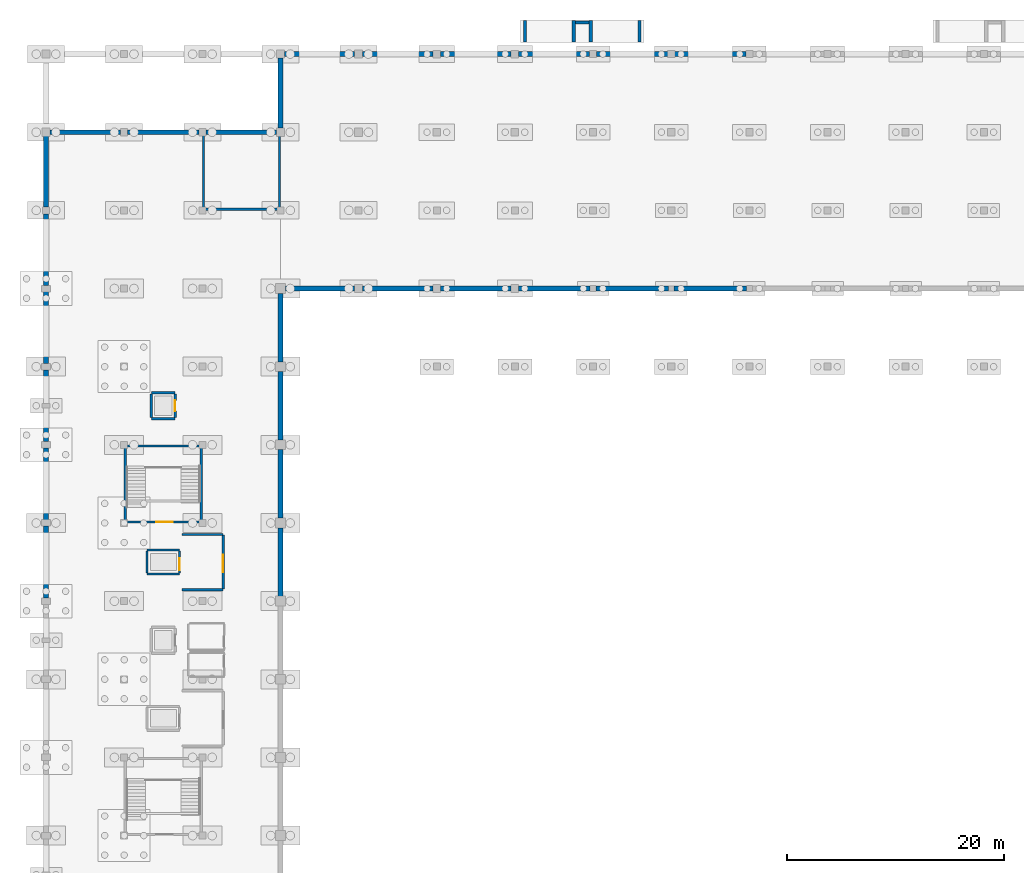
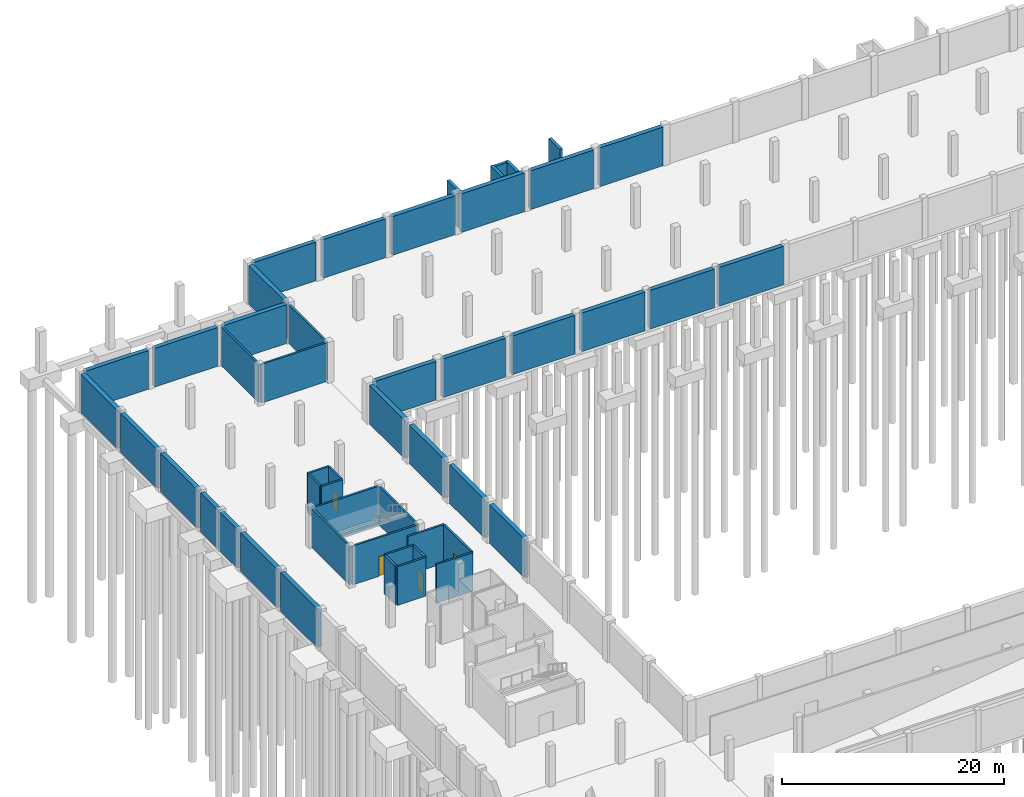
# One storey, part 12 of 18: 49 walls, 4 doors, 4 openings.
"""IFC4 building model written with IfcOpenShell, lengths in metres."""

from ifc_helpers import new_model, si_unit, direction, frame, frame_2d, origin, place, context, subcontext, project, spatial, rectangle, extrude, material, layer, layer_set, type_object, element, fill, save


model = new_model("IFC4")

# Units and contexts
model_context = context("Model", 3, precision=1e-05, world=origin(), true_north=direction((0.0, 1.0)))
body_context = subcontext(model_context, "Body", "Model", "MODEL_VIEW")
ifc_project = project(units=[si_unit("LENGTHUNIT", "METRE"), si_unit("AREAUNIT", "SQUARE_METRE"), si_unit("VOLUMEUNIT", "CUBIC_METRE"), si_unit("PLANEANGLEUNIT", "RADIAN"), si_unit("MASSUNIT", "GRAM", prefix="KILO")], contexts=[model_context])

# Site, building, storey
site_placement = place(None, origin())
site = spatial("IfcSite", under=ifc_project, at=site_placement, CompositionType="ELEMENT")
building_placement = place(site_placement, origin())
building = spatial("IfcBuilding", under=site, at=building_placement, Name="Kangsadwip Square Police Headquarters", CompositionType="ELEMENT")
storey_placement = place(building_placement, frame((0.0, 0.0, -4.5)))
storey = spatial("IfcBuildingStorey", under=building, at=storey_placement, Name="B1", CompositionType="ELEMENT", Elevation=-4.5)

# Walls
ifc_material_1 = material(Name="Concrete M40 (40 MPa)", Category="concrete")
ifc_layer_1 = layer(ifc_material_1, 0.449951171875)
ifc_layer_set_1 = layer_set([ifc_layer_1], Name="Concrete M40 (40 MPa)")
wall_type_1 = type_object("IfcWallType", Name="BasementRetainingWall450", PredefinedType="USERDEFINED", material=ifc_layer_set_1)
wall_1_placement = place(storey_placement, frame((22.044921875, 93.60009765625, 0.0), z_axis=(0.0, 0.0, 1.0), x_axis=(1.0, 0.0, 0.0)))
element("IfcWall", 1, at=wall_1_placement, inside=storey, type_object=wall_type_1, Name="Exterior Wall WE-B1-041", ObjectType="RETAININGWALL", PredefinedType="USERDEFINED", context=body_context, shape_type="SweptSolid", body=[
    extrude(rectangle(XDim=6.385009765625, YDim=0.449951171875, at=frame_2d((3.1923828125, 0.0))), origin(), (0.0, 0.0, 1.0), 4.25),
])
wall_2_placement = place(storey_placement, frame((29.169921875, 93.60009765625, 0.0), z_axis=(0.0, 0.0, 1.0), x_axis=(1.0, 0.0, 0.0)))
element("IfcWall", 2, at=wall_2_placement, inside=storey, type_object=wall_type_1, Name="Exterior Wall WE-B1-042", ObjectType="RETAININGWALL", PredefinedType="USERDEFINED", context=body_context, shape_type="SweptSolid", body=[
    extrude(rectangle(XDim=6.485107421875, YDim=0.449951171875, at=frame_2d((3.24267578125, 0.0))), origin(), (0.0, 0.0, 1.0), 4.25),
])
wall_3_placement = place(storey_placement, frame((36.344970703125, 93.60009765625, 0.0), z_axis=(0.0, 0.0, 1.0), x_axis=(1.0, 0.0, 0.0)))
element("IfcWall", 3, at=wall_3_placement, inside=storey, type_object=wall_type_1, Name="Exterior Wall WE-B1-043", ObjectType="RETAININGWALL", PredefinedType="USERDEFINED", context=body_context, shape_type="SweptSolid", body=[
    extrude(rectangle(XDim=6.510009765625, YDim=0.449951171875, at=frame_2d((3.2548828125, 0.0))), origin(), (0.0, 0.0, 1.0), 4.25),
])
wall_4_placement = place(storey_placement, frame((43.544921875, 93.60009765625, 0.0), z_axis=(0.0, 0.0, 1.0), x_axis=(1.0, 0.0, 0.0)))
element("IfcWall", 4, at=wall_4_placement, inside=storey, type_object=wall_type_1, Name="Exterior Wall WE-B1-044", ObjectType="RETAININGWALL", PredefinedType="USERDEFINED", context=body_context, shape_type="SweptSolid", body=[
    extrude(rectangle(XDim=6.5849609375, YDim=0.449951171875, at=frame_2d((3.29248046875, 0.0))), origin(), (0.0, 0.0, 1.0), 4.25),
])
for number, where, z_axis, x_axis, name in (
    (5, (50.669921875, 93.60009765625, 0.0), (0.0, 0.0, 1.0), (1.0, 0.0, 0.0), "Exterior Wall WE-B1-045"),
    (6, (57.844970703125, 93.60009765625, 0.0), (0.0, 0.0, 1.0), (1.0, 0.0, 0.0), "Exterior Wall WE-B1-046"),
):
    element("IfcWall", number, at=place(storey_placement, frame(where, z_axis=z_axis, x_axis=x_axis)), inside=storey, type_object=wall_type_1, Name=name, ObjectType="RETAININGWALL", PredefinedType="USERDEFINED", context=body_context, shape_type="SweptSolid", body=[
        extrude(rectangle(XDim=6.68505859375, YDim=0.449951171875, at=frame_2d((3.342529296875, 0.0))), origin(), (0.0, 0.0, 1.0), 4.25),
    ])
wall_5_placement = place(storey_placement, frame((0.3701171875, 108.0, 0.0), z_axis=(0.0, 0.0, 1.0), x_axis=(1.0, 0.0, 0.0)))
element("IfcWall", 7, at=wall_5_placement, inside=storey, type_object=wall_type_1, Name="Exterior Wall WE-B1-058", ObjectType="RETAININGWALL", PredefinedType="USERDEFINED", context=body_context, shape_type="SweptSolid", body=[
    extrude(rectangle(XDim=6.509765625, YDim=0.449951171875, at=frame_2d((3.2548828125, 0.0))), origin(), (0.0, 0.0, 1.0), 4.25),
])
wall_6_placement = place(storey_placement, frame((7.52001953125, 108.0, 0.0), z_axis=(0.0, 0.0, 1.0), x_axis=(1.0, 0.0, 0.0)))
element("IfcWall", 8, at=wall_6_placement, inside=storey, type_object=wall_type_1, Name="Exterior Wall WE-B1-059", ObjectType="RETAININGWALL", PredefinedType="USERDEFINED", context=body_context, shape_type="SweptSolid", body=[
    extrude(rectangle(XDim=6.56005859375, YDim=0.449951171875, at=frame_2d((3.280029296875, 0.0))), origin(), (0.0, 0.0, 1.0), 4.25),
])
wall_7_placement = place(storey_placement, frame((14.719970703125, 108.0, 0.0), z_axis=(0.0, 0.0, 1.0), x_axis=(1.0, 0.0, 0.0)))
element("IfcWall", 9, at=wall_7_placement, inside=storey, type_object=wall_type_1, Name="Exterior Wall WE-B1-060", ObjectType="RETAININGWALL", PredefinedType="USERDEFINED", context=body_context, shape_type="SweptSolid", body=[
    extrude(rectangle(XDim=6.510009765625, YDim=0.449951171875, at=frame_2d((3.2548828125, 0.0))), origin(), (0.0, 0.0, 1.0), 4.25),
])
wall_8_placement = place(storey_placement, frame((21.969970703125, 115.199951171875, 0.0), z_axis=(0.0, 0.0, 1.0), x_axis=(1.0, 0.0, 0.0)))
element("IfcWall", 10, at=wall_8_placement, inside=storey, type_object=wall_type_1, Name="Exterior Wall WE-B1-064", ObjectType="RETAININGWALL", PredefinedType="USERDEFINED", context=body_context, shape_type="SweptSolid", body=[
    extrude(rectangle(XDim=6.4599609375, YDim=0.449951171875, at=frame_2d((3.22998046875, 0.0))), origin(), (0.0, 0.0, 1.0), 4.25),
])
wall_9_placement = place(storey_placement, frame((29.169921875, 115.199951171875, 0.0), z_axis=(0.0, 0.0, 1.0), x_axis=(1.0, 0.0, 0.0)))
element("IfcWall", 11, at=wall_9_placement, inside=storey, type_object=wall_type_1, Name="Exterior Wall WE-B1-065", ObjectType="RETAININGWALL", PredefinedType="USERDEFINED", context=body_context, shape_type="SweptSolid", body=[
    extrude(rectangle(XDim=6.485107421875, YDim=0.449951171875, at=frame_2d((3.24267578125, 0.0))), origin(), (0.0, 0.0, 1.0), 4.25),
])
wall_10_placement = place(storey_placement, frame((36.344970703125, 115.199951171875, 0.0), z_axis=(0.0, 0.0, 1.0), x_axis=(1.0, 0.0, 0.0)))
element("IfcWall", 12, at=wall_10_placement, inside=storey, type_object=wall_type_1, Name="Exterior Wall WE-B1-066", ObjectType="RETAININGWALL", PredefinedType="USERDEFINED", context=body_context, shape_type="SweptSolid", body=[
    extrude(rectangle(XDim=6.510009765625, YDim=0.449951171875, at=frame_2d((3.2548828125, 0.0))), origin(), (0.0, 0.0, 1.0), 4.25),
])
wall_11_placement = place(storey_placement, frame((43.544921875, 115.199951171875, 0.0), z_axis=(0.0, 0.0, 1.0), x_axis=(1.0, 0.0, 0.0)))
element("IfcWall", 13, at=wall_11_placement, inside=storey, type_object=wall_type_1, Name="Exterior Wall WE-B1-067", ObjectType="RETAININGWALL", PredefinedType="USERDEFINED", context=body_context, shape_type="SweptSolid", body=[
    extrude(rectangle(XDim=6.53515625, YDim=0.449951171875, at=frame_2d((3.267578125, 0.0))), origin(), (0.0, 0.0, 1.0), 4.25),
])
for number, where, z_axis, x_axis, name in (
    (14, (50.719970703125, 115.199951171875, 0.0), (0.0, 0.0, 1.0), (1.0, 0.0, 0.0), "Exterior Wall WE-B1-068"),
    (15, (57.919921875, 115.199951171875, 0.0), (0.0, 0.0, 1.0), (1.0, 0.0, 0.0), "Exterior Wall WE-B1-069"),
):
    element("IfcWall", number, at=place(storey_placement, frame(where, z_axis=z_axis, x_axis=x_axis)), inside=storey, type_object=wall_type_1, Name=name, ObjectType="RETAININGWALL", PredefinedType="USERDEFINED", context=body_context, shape_type="SweptSolid", body=[
        extrude(rectangle(XDim=6.56005859375, YDim=0.449951171875, at=frame_2d((3.280029296875, 0.0))), origin(), (0.0, 0.0, 1.0), 4.25),
    ])
for number, where, z_axis, x_axis, name in (
    (16, (0.0, 65.094970703125, 0.0), (0.0, 0.0, 1.0), (0.0, 1.0, 0.0), "Exterior Wall WE-B1-090"),
    (17, (0.0, 72.294921875, 0.0), (0.0, 0.0, 1.0), (0.0, 1.0, 0.0), "Exterior Wall WE-B1-091"),
):
    element("IfcWall", number, at=place(storey_placement, frame(where, z_axis=z_axis, x_axis=x_axis)), inside=storey, type_object=wall_type_1, Name=name, ObjectType="RETAININGWALL", PredefinedType="USERDEFINED", context=body_context, shape_type="SweptSolid", body=[
        extrude(rectangle(XDim=6.610107421875, YDim=0.449951171875, at=frame_2d((3.30517578125, 0.0))), origin(), (0.0, 0.0, 1.0), 4.25),
    ])
for number, where, z_axis, x_axis, name in (
    (18, (0.0, 79.4951171875, 0.0), (0.0, 0.0, 1.0), (0.0, 1.0, 0.0), "Exterior Wall WE-B1-092"),
    (19, (0.0, 86.695068359375, 0.0), (0.0, 0.0, 1.0), (0.0, 1.0, 0.0), "Exterior Wall WE-B1-093"),
):
    element("IfcWall", number, at=place(storey_placement, frame(where, z_axis=z_axis, x_axis=x_axis)), inside=storey, type_object=wall_type_1, Name=name, ObjectType="RETAININGWALL", PredefinedType="USERDEFINED", context=body_context, shape_type="SweptSolid", body=[
        extrude(rectangle(XDim=6.60986328125, YDim=0.449951171875, at=frame_2d((3.304931640625, 0.0))), origin(), (0.0, 0.0, 1.0), 4.25),
    ])
wall_12_placement = place(storey_placement, frame((0.0, 93.89501953125, 0.0), z_axis=(0.0, 0.0, 1.0), x_axis=(0.0, 1.0, 0.0)))
element("IfcWall", 20, at=wall_12_placement, inside=storey, type_object=wall_type_1, Name="Exterior Wall WE-B1-094", ObjectType="RETAININGWALL", PredefinedType="USERDEFINED", context=body_context, shape_type="SweptSolid", body=[
    extrude(rectangle(XDim=6.5849609375, YDim=0.449951171875, at=frame_2d((3.29248046875, 0.0))), origin(), (0.0, 0.0, 1.0), 4.25),
])
wall_13_placement = place(storey_placement, frame((0.0, 101.1201171875, 0.0), z_axis=(0.0, 0.0, 1.0), x_axis=(0.0, 1.0, 0.0)))
element("IfcWall", 21, at=wall_13_placement, inside=storey, type_object=wall_type_1, Name="Exterior Wall WE-B1-095", ObjectType="RETAININGWALL", PredefinedType="USERDEFINED", context=body_context, shape_type="SweptSolid", body=[
    extrude(rectangle(XDim=6.509765625, YDim=0.449951171875, at=frame_2d((3.2548828125, 0.0))), origin(), (0.0, 0.0, 1.0), 4.25),
])
for number, where, z_axis, x_axis, name in (
    (22, (21.60009765625, 65.2451171875, 0.0), (0.0, 0.0, 1.0), (0.0, 1.0, 0.0), "Exterior Wall WE-B1-103"),
    (23, (21.60009765625, 72.445068359375, 0.0), (0.0, 0.0, 1.0), (0.0, 1.0, 0.0), "Exterior Wall WE-B1-104"),
):
    element("IfcWall", number, at=place(storey_placement, frame(where, z_axis=z_axis, x_axis=x_axis)), inside=storey, type_object=wall_type_1, Name=name, ObjectType="RETAININGWALL", PredefinedType="USERDEFINED", context=body_context, shape_type="SweptSolid", body=[
        extrude(rectangle(XDim=6.309814453125, YDim=0.449951171875, at=frame_2d((3.15478515625, 0.0))), origin(), (0.0, 0.0, 1.0), 4.25),
    ])
for number, where, z_axis, x_axis, name in (
    (24, (21.60009765625, 79.64501953125, 0.0), (0.0, 0.0, 1.0), (0.0, 1.0, 0.0), "Exterior Wall WE-B1-105"),
    (25, (21.60009765625, 86.844970703125, 0.0), (0.0, 0.0, 1.0), (0.0, 1.0, 0.0), "Exterior Wall WE-B1-106"),
):
    element("IfcWall", number, at=place(storey_placement, frame(where, z_axis=z_axis, x_axis=x_axis)), inside=storey, type_object=wall_type_1, Name=name, ObjectType="RETAININGWALL", PredefinedType="USERDEFINED", context=body_context, shape_type="SweptSolid", body=[
        extrude(rectangle(XDim=6.31005859375, YDim=0.449951171875, at=frame_2d((3.155029296875, 0.0))), origin(), (0.0, 0.0, 1.0), 4.25),
    ])
wall_14_placement = place(storey_placement, frame((21.60009765625, 108.3701171875, 0.0), z_axis=(0.0, 0.0, 1.0), x_axis=(0.0, 1.0, 0.0)))
element("IfcWall", 26, at=wall_14_placement, inside=storey, type_object=wall_type_1, Name="Exterior Wall WE-B1-107", ObjectType="RETAININGWALL", PredefinedType="USERDEFINED", context=body_context, shape_type="SweptSolid", body=[
    extrude(rectangle(XDim=6.4599609375, YDim=0.449951171875, at=frame_2d((3.22998046875, 0.0))), origin(), (0.0, 0.0, 1.0), 4.25),
])

# Wall, opening, door
ifc_material_2 = material(Name="Concrete M40 (40 MPa)", Category="concrete")
ifc_layer_2 = layer(ifc_material_2, 0.199951171875)
ifc_layer_set_2 = layer_set([ifc_layer_2], Name="Concrete M40 (40 MPa)")
wall_type_2 = type_object("IfcWallType", Name="CoreShearWall200", PredefinedType="SHEAR", material=ifc_layer_set_2)
wall_15_placement = place(storey_placement, frame((7.39990234375, 72.10009765625, 0.0), z_axis=(0.0, 0.0, 1.0), x_axis=(1.0, 0.0, 0.0)))
wall_15 = element("IfcWall", 27, at=wall_15_placement, inside=storey, type_object=wall_type_2, Name="Interior Wall WI-B1-0049", PredefinedType="SHEAR", context=body_context, shape_type="SweptSolid", body=[
    extrude(rectangle(XDim=6.800048828125, YDim=0.199951171875, at=frame_2d((3.39990234375, 0.0))), origin(), (0.0, 0.0, 1.0), 4.25),
])
opening_1_placement = place(wall_15_placement, frame((2.77587890625, 0.0, 0.0)))
opening_1 = element("IfcOpeningElement", 28, at=opening_1_placement, cuts=wall_15, Name="Opening FD-15", PredefinedType="OPENING", context=body_context, shape_type="SweptSolid", body=[
    extrude(rectangle(XDim=1.5, YDim=2.14990234375, at=frame_2d((0.75, 1.074951171875))), frame((0.0, 0.10986328125, 0.0), z_axis=(0.0, -1.0, 0.0), x_axis=(1.0, 0.0, 0.0)), (0.0, 0.0, 1.0), 0.219970703125),
])
ifc_material_3 = material(Name="Insulated galvanized steel fire-rated door assembly", Category="steel")
door_type_1 = type_object("IfcDoorType", Name="StairFireDoor1500x2150", OperationType="DOUBLE_DOOR_SINGLE_SWING", PredefinedType="DOOR", material=ifc_material_3)
door_1_placement = place(opening_1_placement, origin())
door_1 = element("IfcDoor", 29, at=door_1_placement, inside=storey, type_object=door_type_1, Name="Interior Door ID-B1-0010", OperationType="DOUBLE_DOOR_SINGLE_SWING", OverallHeight=2.14990234375, OverallWidth=1.5, PredefinedType="DOOR", context=body_context, shape_type="SweptSolid", body=[
    extrude(rectangle(XDim=1.5, YDim=2.14990234375, at=frame_2d((0.75, 1.074951171875))), frame((0.0, 0.02490234375, 0.0), z_axis=(0.0, -1.0, 0.0), x_axis=(1.0, 0.0, 0.0)), (0.0, 0.0, 1.0), 0.050048828125),
])
fill(opening_1, door_1)

# Walls
for number, where, z_axis, x_axis, name in (
    (30, (7.39990234375, 79.10009765625, 0.0), (0.0, 0.0, 1.0), (1.0, 0.0, 0.0), "Interior Wall WI-B1-0050"),
    (31, (7.300048828125, 72.199951171875, 0.0), (0.0, 0.0, 1.0), (0.0, 1.0, 0.0), "Interior Wall WI-B1-0051"),
    (32, (14.300048828125, 72.199951171875, 0.0), (0.0, 0.0, 1.0), (0.0, 1.0, 0.0), "Interior Wall WI-B1-0052"),
):
    element("IfcWall", number, at=place(storey_placement, frame(where, z_axis=z_axis, x_axis=x_axis)), inside=storey, type_object=wall_type_2, Name=name, PredefinedType="SHEAR", context=body_context, shape_type="SweptSolid", body=[
        extrude(rectangle(XDim=6.800048828125, YDim=0.199951171875, at=frame_2d((3.39990234375, 0.0))), origin(), (0.0, 0.0, 1.0), 4.25),
    ])
wall_16_placement = place(storey_placement, frame((14.60009765625, 100.89990234375, 0.0), z_axis=(0.0, 0.0, 1.0), x_axis=(1.0, 0.0, 0.0)))
element("IfcWall", 33, at=wall_16_placement, inside=storey, type_object=wall_type_2, Name="Interior Wall WI-B1-0198", PredefinedType="SHEAR", context=body_context, shape_type="SweptSolid", body=[
    extrude(rectangle(XDim=6.7998046875, YDim=0.199951171875, at=frame_2d((3.39990234375, 0.0))), origin(), (0.0, 0.0, 1.0), 4.25),
])
for number, where, z_axis, x_axis, name in (
    (34, (14.5, 101.0, 0.0), (0.0, 0.0, 1.0), (0.0, 1.0, 0.0), "Interior Wall WI-B1-0199"),
    (35, (21.5, 101.0, 0.0), (0.0, 0.0, 1.0), (0.0, 1.0, 0.0), "Interior Wall WI-B1-0200"),
):
    element("IfcWall", number, at=place(storey_placement, frame(where, z_axis=z_axis, x_axis=x_axis)), inside=storey, type_object=wall_type_2, Name=name, PredefinedType="SHEAR", context=body_context, shape_type="SweptSolid", body=[
        extrude(rectangle(XDim=6.800048828125, YDim=0.199951171875, at=frame_2d((3.39990234375, 0.0))), origin(), (0.0, 0.0, 1.0), 4.25),
    ])
for number, where, z_axis, x_axis, name in (
    (36, (9.300048828125, 67.300048828125, 0.0), (0.0, 0.0, 1.0), (1.0, 0.0, 0.0), "Interior Wall WI-B1-0271"),
    (37, (9.300048828125, 69.5, 0.0), (0.0, 0.0, 1.0), (1.0, 0.0, 0.0), "Interior Wall WI-B1-0272"),
):
    element("IfcWall", number, at=place(storey_placement, frame(where, z_axis=z_axis, x_axis=x_axis)), inside=storey, type_object=wall_type_2, Name=name, PredefinedType="SHEAR", context=body_context, shape_type="SweptSolid", body=[
        extrude(rectangle(XDim=3.0, YDim=0.199951171875, at=frame_2d((1.5, 0.0))), origin(), (0.0, 0.0, 1.0), 4.25),
    ])
wall_17_placement = place(storey_placement, frame((9.300048828125, 67.39990234375, 0.0), z_axis=(0.0, 0.0, 1.0), x_axis=(0.0, 1.0, 0.0)))
element("IfcWall", 38, at=wall_17_placement, inside=storey, type_object=wall_type_2, Name="Interior Wall WI-B1-0273", PredefinedType="SHEAR", context=body_context, shape_type="SweptSolid", body=[
    extrude(rectangle(XDim=2.0, YDim=0.199951171875, at=frame_2d((1.0, 0.0))), origin(), (0.0, 0.0, 1.0), 4.25),
])

# Wall, opening, door
wall_18_placement = place(storey_placement, frame((12.300048828125, 67.39990234375, 0.0), z_axis=(0.0, 0.0, 1.0), x_axis=(0.0, 1.0, 0.0)))
wall_18 = element("IfcWall", 39, at=wall_18_placement, inside=storey, type_object=wall_type_2, Name="Interior Wall WI-B1-0274", PredefinedType="SHEAR", context=body_context, shape_type="SweptSolid", body=[
    extrude(rectangle(XDim=2.0, YDim=0.199951171875, at=frame_2d((1.0, 0.0))), origin(), (0.0, 0.0, 1.0), 4.25),
])
opening_2_placement = place(wall_18_placement, frame((0.25, 0.0, 0.0)))
opening_2 = element("IfcOpeningElement", 40, at=opening_2_placement, cuts=wall_18, Name="Opening LD-010", PredefinedType="OPENING", context=body_context, shape_type="SweptSolid", body=[
    extrude(rectangle(XDim=1.10009765625, YDim=2.14990234375, at=frame_2d((0.550048828125, 1.074951171875))), frame((0.0, 0.10986328125, 0.0), z_axis=(0.0, -1.0, 0.0), x_axis=(1.0, 0.0, 0.0)), (0.0, 0.0, 1.0), 0.219970703125),
])
ifc_material_4 = material(Name="Brushed stainless steel automatic sliding lift landing door", Category="steel")
door_type_2 = type_object("IfcDoorType", Name="LiftLandingDoor1100x2150", OperationType="DOUBLE_DOOR_SLIDING", PredefinedType="DOOR", material=ifc_material_4)
door_2_placement = place(opening_2_placement, origin())
door_2 = element("IfcDoor", 41, at=door_2_placement, inside=storey, type_object=door_type_2, Name="Interior Door LD-010", OperationType="DOUBLE_DOOR_SLIDING", OverallHeight=2.14990234375, OverallWidth=1.10009765625, PredefinedType="DOOR", context=body_context, shape_type="SweptSolid", body=[
    extrude(rectangle(XDim=1.10009765625, YDim=2.14990234375, at=frame_2d((0.550048828125, 1.074951171875))), frame((0.0, 0.02490234375, 0.0), z_axis=(0.0, -1.0, 0.0), x_axis=(1.0, 0.0, 0.0)), (0.0, 0.0, 1.0), 0.050048828125),
])
fill(opening_2, door_2)

# Walls
for number, where, z_axis, x_axis, name in (
    (42, (9.699951171875, 81.60009765625, 0.0), (0.0, 0.0, 1.0), (1.0, 0.0, 0.0), "Interior Wall WI-B1-0387"),
    (43, (9.699951171875, 84.0, 0.0), (0.0, 0.0, 1.0), (1.0, 0.0, 0.0), "Interior Wall WI-B1-0388"),
    (44, (9.699951171875, 81.699951171875, 0.0), (0.0, 0.0, 1.0), (0.0, 1.0, 0.0), "Interior Wall WI-B1-0389"),
):
    element("IfcWall", number, at=place(storey_placement, frame(where, z_axis=z_axis, x_axis=x_axis)), inside=storey, type_object=wall_type_2, Name=name, PredefinedType="SHEAR", context=body_context, shape_type="SweptSolid", body=[
        extrude(rectangle(XDim=2.199951171875, YDim=0.199951171875, at=frame_2d((1.10009765625, 0.0))), origin(), (0.0, 0.0, 1.0), 4.25),
    ])

# Wall, opening, door
wall_19_placement = place(storey_placement, frame((11.89990234375, 81.699951171875, 0.0), z_axis=(0.0, 0.0, 1.0), x_axis=(0.0, 1.0, 0.0)))
wall_19 = element("IfcWall", 45, at=wall_19_placement, inside=storey, type_object=wall_type_2, Name="Interior Wall WI-B1-0390", PredefinedType="SHEAR", context=body_context, shape_type="SweptSolid", body=[
    extrude(rectangle(XDim=2.199951171875, YDim=0.199951171875, at=frame_2d((1.10009765625, 0.0))), origin(), (0.0, 0.0, 1.0), 4.25),
])
opening_3_placement = place(wall_19_placement, frame((0.60009765625, 0.0, 0.0)))
opening_3 = element("IfcOpeningElement", 46, at=opening_3_placement, cuts=wall_19, Name="Opening LD-036", PredefinedType="OPENING", context=body_context, shape_type="SweptSolid", body=[
    extrude(rectangle(XDim=1.0, YDim=2.10009765625, at=frame_2d((0.5, 1.050048828125))), frame((0.0, 0.10986328125, 0.0), z_axis=(0.0, -1.0, 0.0), x_axis=(1.0, 0.0, 0.0)), (0.0, 0.0, 1.0), 0.219970703125),
])
ifc_material_5 = material(Name="Brushed stainless steel automatic sliding lift landing door", Category="steel")
door_type_3 = type_object("IfcDoorType", Name="LiftLandingDoor1000x2100", OperationType="DOUBLE_DOOR_SLIDING", PredefinedType="DOOR", material=ifc_material_5)
door_3_placement = place(opening_3_placement, origin())
door_3 = element("IfcDoor", 47, at=door_3_placement, inside=storey, type_object=door_type_3, Name="Interior Door LD-036", OperationType="DOUBLE_DOOR_SLIDING", OverallHeight=2.10009765625, OverallWidth=1.0, PredefinedType="DOOR", context=body_context, shape_type="SweptSolid", body=[
    extrude(rectangle(XDim=1.0, YDim=2.10009765625, at=frame_2d((0.5, 1.050048828125))), frame((0.0, 0.02490234375, 0.0), z_axis=(0.0, -1.0, 0.0), x_axis=(1.0, 0.0, 0.0)), (0.0, 0.0, 1.0), 0.050048828125),
])
fill(opening_3, door_3)

ifc_material_6 = material(Name="Concrete M40 (40 MPa)", Category="concrete")
ifc_layer_3 = layer(ifc_material_6, 0.199951171875)
ifc_layer_set_3 = layer_set([ifc_layer_3], Name="Concrete M40 (40 MPa)")
wall_type_3 = type_object("IfcWallType", Name="CustodySecurityWall200", PredefinedType="SOLIDWALL", material=ifc_layer_set_3)
wall_20_placement = place(storey_placement, frame((16.320068359375, 65.929931640625, 0.0), z_axis=(0.0, 0.0, 1.0), x_axis=(0.0, 1.0, 0.0)))
wall_20 = element("IfcWall", 48, at=wall_20_placement, inside=storey, type_object=wall_type_3, Name="Interior Wall WI-B1-0638", PredefinedType="SOLIDWALL", context=body_context, shape_type="SweptSolid", body=[
    extrude(rectangle(XDim=4.940185546875, YDim=0.199951171875, at=frame_2d((2.47021484375, 0.0))), origin(), (0.0, 0.0, 1.0), 4.25),
])
opening_4_placement = place(wall_20_placement, frame((1.541015625, 0.0, 0.0)))
opening_4 = element("IfcOpeningElement", 49, at=opening_4_placement, cuts=wall_20, Name="Opening FD-16", PredefinedType="OPENING", context=body_context, shape_type="SweptSolid", body=[
    extrude(rectangle(XDim=1.60009765625, YDim=2.199951171875, at=frame_2d((0.800048828125, 1.10009765625))), frame((0.0, 0.10986328125, 0.0), z_axis=(0.0, -1.0, 0.0), x_axis=(1.0, 0.0, 0.0)), (0.0, 0.0, 1.0), 0.219970703125),
])
ifc_material_7 = material(Name="Insulated galvanized steel fire-rated door assembly", Category="steel")
door_type_4 = type_object("IfcDoorType", Name="FfLobbyFireDoor1600x2200", OperationType="DOUBLE_DOOR_SINGLE_SWING", PredefinedType="DOOR", material=ifc_material_7)
door_4_placement = place(opening_4_placement, origin())
door_4 = element("IfcDoor", 50, at=door_4_placement, inside=storey, type_object=door_type_4, Name="Interior Door ID-B1-0117", OperationType="DOUBLE_DOOR_SINGLE_SWING", OverallHeight=2.199951171875, OverallWidth=1.60009765625, PredefinedType="DOOR", context=body_context, shape_type="SweptSolid", body=[
    extrude(rectangle(XDim=1.60009765625, YDim=2.199951171875, at=frame_2d((0.800048828125, 1.10009765625))), frame((0.0, 0.02490234375, 0.0), z_axis=(0.0, -1.0, 0.0), x_axis=(1.0, 0.0, 0.0)), (0.0, 0.0, 1.0), 0.050048828125),
])
fill(opening_4, door_4)

# Walls
for number, where, z_axis, x_axis, name in (
    (51, (12.5400390625, 65.85009765625, 0.0), (0.0, 0.0, 1.0), (1.0, 0.0, 0.0), "Interior Wall WI-B1-0639"),
    (52, (12.5400390625, 70.949951171875, 0.0), (0.0, 0.0, 1.0), (1.0, 0.0, 0.0), "Interior Wall WI-B1-0640"),
):
    element("IfcWall", number, at=place(storey_placement, frame(where, z_axis=z_axis, x_axis=x_axis)), inside=storey, type_object=wall_type_3, Name=name, PredefinedType="SOLIDWALL", context=body_context, shape_type="SweptSolid", body=[
        extrude(rectangle(XDim=3.780029296875, YDim=0.199951171875, at=frame_2d((1.89013671875, 0.0))), origin(), (0.0, 0.0, 1.0), 4.25),
    ])
ifc_material_8 = material(Name="Concrete M35 (35 MPa)", Category="concrete")
ifc_layer_4 = layer(ifc_material_8, 0.300048828125)
ifc_layer_set_4 = layer_set([ifc_layer_4], Name="Concrete M35 (35 MPa)")
wall_type_4 = type_object("IfcWallType", Name="RampSupportWall300", PredefinedType="SHEAR", material=ifc_layer_set_4)
wall_21_placement = place(storey_placement, frame((44.1201171875, 116.300048828125, -0.449951171875), z_axis=(0.0, 0.0, 1.0), x_axis=(0.0, 1.0, 0.0)))
element("IfcWall", 53, at=wall_21_placement, inside=storey, type_object=wall_type_4, Name="Accessible Ramp Support Wall WR-AR-01-1", PredefinedType="SHEAR", context=body_context, shape_type="SweptSolid", body=[
    extrude(rectangle(XDim=2.0, YDim=0.300048828125, at=frame_2d((1.0, 0.0))), origin(), (0.0, 0.0, 1.0), 4.030029296875),
])
for number, where, z_axis, x_axis, name in (
    (54, (48.6201171875, 116.300048828125, -0.449951171875), (0.0, 0.0, 1.0), (0.0, 1.0, 0.0), "Accessible Ramp Support Wall WR-AR-01-2"),
    (55, (50.179931640625, 116.300048828125, -0.449951171875), (0.0, 0.0, 1.0), (0.0, 1.0, 0.0), "Accessible Ramp Support Wall WR-AR-01-3"),
):
    element("IfcWall", number, at=place(storey_placement, frame(where, z_axis=z_axis, x_axis=x_axis)), inside=storey, type_object=wall_type_4, Name=name, PredefinedType="SHEAR", context=body_context, shape_type="SweptSolid", body=[
        extrude(rectangle(XDim=2.0, YDim=0.300048828125, at=frame_2d((1.0, 0.0))), origin(), (0.0, 0.0, 1.0), 4.050048828125),
    ])
wall_22_placement = place(storey_placement, frame((48.800048828125, 118.1201171875, -0.449951171875), z_axis=(0.0, 0.0, 1.0), x_axis=(1.0, 0.0, 0.0)))
element("IfcWall", 56, at=wall_22_placement, inside=storey, type_object=wall_type_4, Name="Accessible Ramp Support Wall WR-AR-01-4", PredefinedType="SHEAR", context=body_context, shape_type="SweptSolid", body=[
    extrude(rectangle(XDim=1.199951171875, YDim=0.300048828125, at=frame_2d((0.60009765625, 0.0))), origin(), (0.0, 0.0, 1.0), 4.050048828125),
])
wall_23_placement = place(storey_placement, frame((54.679931640625, 116.300048828125, -0.449951171875), z_axis=(0.0, 0.0, 1.0), x_axis=(0.0, 1.0, 0.0)))
element("IfcWall", 57, at=wall_23_placement, inside=storey, type_object=wall_type_4, Name="Accessible Ramp Support Wall WR-AR-01-5", PredefinedType="SHEAR", context=body_context, shape_type="SweptSolid", body=[
    extrude(rectangle(XDim=2.0, YDim=0.300048828125, at=frame_2d((1.0, 0.0))), origin(), (0.0, 0.0, 1.0), 4.929931640625),
])

save(model, "model.ifc")
